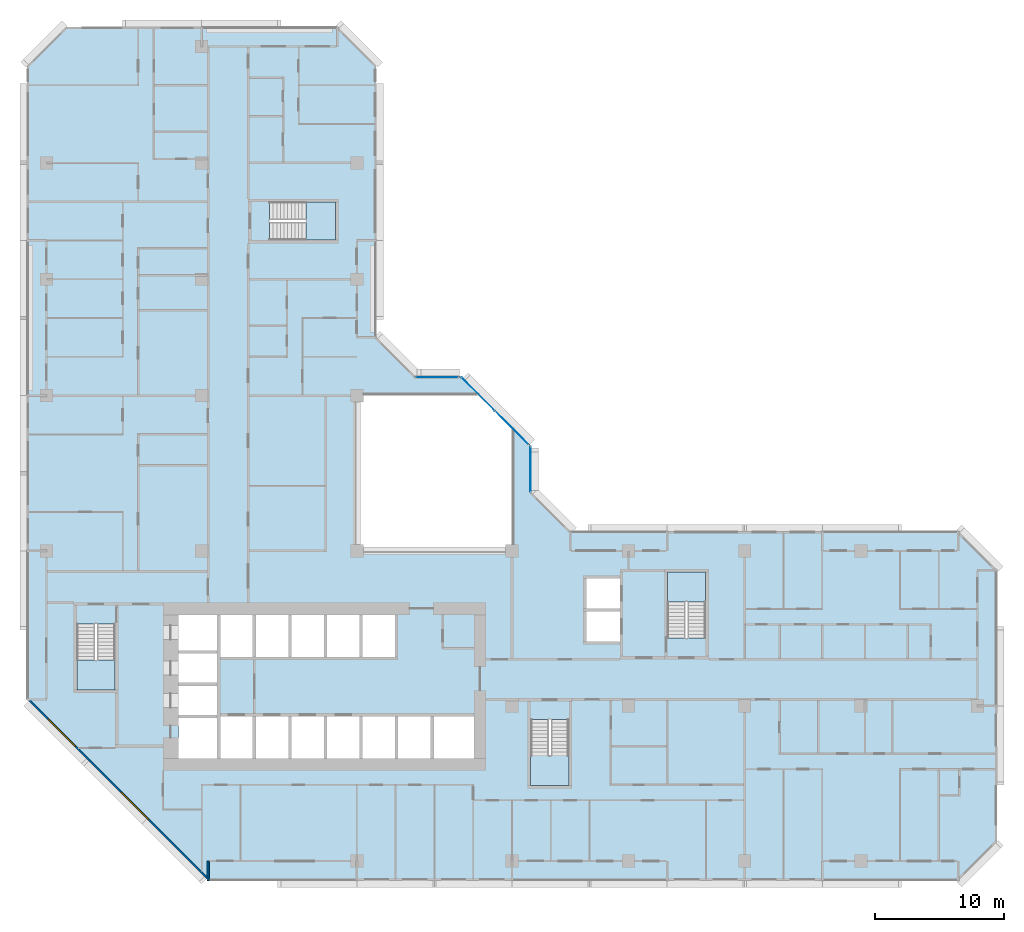
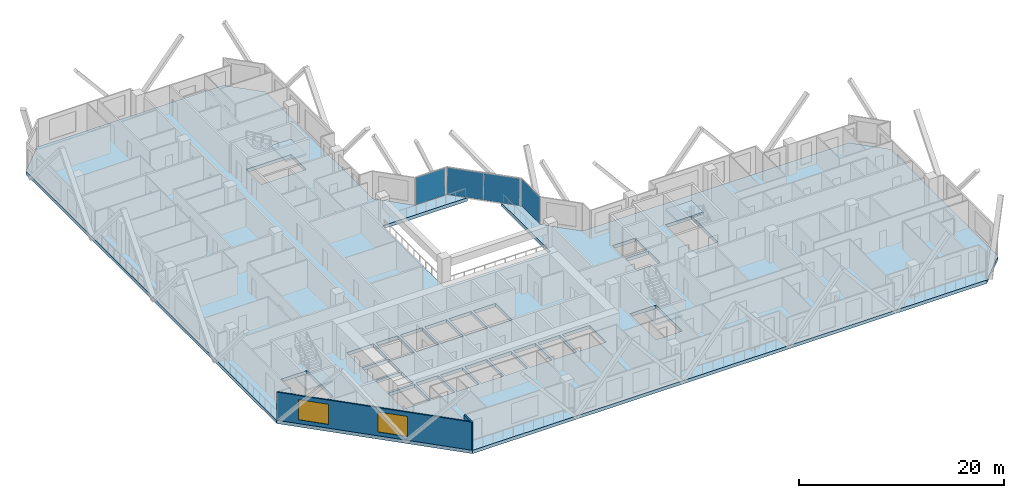
# One storey, part 3 of 16: 5 slabs, 4 plates, 2 walls, 2 windows, 2 openings, 7 elements without a shape of their own.
"""IFC4 building model written with IfcOpenShell, lengths in metres."""

from ifc_helpers import new_model, si_unit, direction, frame, frame_2d, origin, origin_2d, place, context, subcontext, project, spatial, polyline, rectangle, outline, extrude, material, layer, layer_set, type_object, element, fill, aggregate, save


model = new_model("IFC4")

# Units and contexts
model_context = context("Model", 3, precision=1e-05, world=origin(), true_north=direction((0.0, 1.0)))
body_context = subcontext(model_context, "Body", "Model", "MODEL_VIEW")
ifc_project = project(units=[si_unit("LENGTHUNIT", "METRE"), si_unit("AREAUNIT", "SQUARE_METRE"), si_unit("VOLUMEUNIT", "CUBIC_METRE"), si_unit("PLANEANGLEUNIT", "RADIAN"), si_unit("MASSUNIT", "GRAM", prefix="KILO")], contexts=[model_context])

# Site, building, storey
site_placement = place(None, origin())
site = spatial("IfcSite", under=ifc_project, at=site_placement, CompositionType="ELEMENT")
building_placement = place(site_placement, origin())
building = spatial("IfcBuilding", under=site, at=building_placement, Name="Chenar Terraces", CompositionType="ELEMENT")
storey_placement = place(building_placement, frame((0.0, 0.0, 99.39990234375)))
storey = spatial("IfcBuildingStorey", under=building, at=storey_placement, Name="L22", CompositionType="ELEMENT", Elevation=99.39990234375)

# Curtain wall, plate
ifc_material_1 = material(Name="Aluminium framed glazing", Category="aluminium")
ifc_layer_1 = layer(ifc_material_1, 0.14990234375)
ifc_layer_set_1 = layer_set([ifc_layer_1], Name="Aluminium framed glazing")
curtain_wall_type = type_object("IfcCurtainWallType", Name="Atrium curtain wall", PredefinedType="NOTDEFINED", material=ifc_layer_set_1)
placement_1 = place(storey_placement, origin())
curtain_wall_1 = element("IfcCurtainWall", 1, at=placement_1, inside=storey, type_object=curtain_wall_type, Name="Atrium curtain wall", PredefinedType="NOTDEFINED")
ifc_material_2 = material(Name="Low emissivity laminated glass, solar control coating", Category="glass")
ifc_layer_2 = layer(ifc_material_2, 0.028076171875)
ifc_layer_set_2 = layer_set([ifc_layer_2], Name="Low emissivity laminated glass, solar control coating")
plate_type = type_object("IfcPlateType", Name="Atrium glazing panel 28", PredefinedType="CURTAIN_PANEL", material=ifc_layer_set_2)
plate_1_placement = place(storey_placement, frame((37.425048828125, 30.300048828125, 0.06005859375), z_axis=(0.0, 0.0, 1.0), x_axis=(0.0, 1.0, 0.0)))
plate_1 = element("IfcPlate", 2, at=plate_1_placement, type_object=plate_type, Name="CW1-1 panel 1.1", PredefinedType="CURTAIN_PANEL", context=body_context, shape_type="SweptSolid", body=[
    extrude(rectangle(XDim=3.47998046875, YDim=0.028076171875, at=origin_2d()), origin(), (0.0, 0.0, 1.0), 3.22998046875),
])
aggregate(curtain_wall_1, [plate_1])

# Curtain wall, plates
curtain_wall_2 = element("IfcCurtainWall", 3, at=placement_1, inside=storey, type_object=curtain_wall_type, Name="Atrium curtain wall", PredefinedType="NOTDEFINED")
plate_2_placement = place(storey_placement, frame((35.980224609375, 33.513671875, 0.06005859375), z_axis=(0.0, 0.0, 1.0), x_axis=(-0.707106781187, 0.707106781187, 0.0)))
plate_2 = element("IfcPlate", 4, at=plate_2_placement, type_object=plate_type, Name="CW1-2 panel 1.1", PredefinedType="CURTAIN_PANEL", context=body_context, shape_type="SweptSolid", body=[
    extrude(rectangle(XDim=3.62841796875, YDim=0.028076171875, at=origin_2d()), origin(), (0.0, 0.0, 1.0), 3.22998046875),
])
plate_3_placement = place(storey_placement, frame((33.3720703125, 36.121826171875, 0.06005859375), z_axis=(0.0, 0.0, 1.0), x_axis=(-0.707106781187, 0.707106781187, 0.0)))
plate_3 = element("IfcPlate", 5, at=plate_3_placement, type_object=plate_type, Name="CW1-2 panel 2.1", PredefinedType="CURTAIN_PANEL", context=body_context, shape_type="SweptSolid", body=[
    extrude(rectangle(XDim=3.62841796875, YDim=0.028076171875, at=origin_2d()), origin(), (0.0, 0.0, 1.0), 3.22998046875),
])
aggregate(curtain_wall_2, [plate_2, plate_3])

# Curtain wall, plate
curtain_wall_3 = element("IfcCurtainWall", 6, at=placement_1, inside=storey, type_object=curtain_wall_type, Name="Atrium curtain wall", PredefinedType="NOTDEFINED")
plate_4_placement = place(storey_placement, frame((30.199951171875, 37.425048828125, 0.06005859375), z_axis=(0.0, 0.0, 1.0), x_axis=(-1.0, 0.0, 0.0)))
plate_4 = element("IfcPlate", 7, at=plate_4_placement, type_object=plate_type, Name="CW1-3 panel 1.1", PredefinedType="CURTAIN_PANEL", context=body_context, shape_type="SweptSolid", body=[
    extrude(rectangle(XDim=3.280029296875, YDim=0.028076171875, at=origin_2d()), origin(), (0.0, 0.0, 1.0), 3.22998046875),
])
aggregate(curtain_wall_3, [plate_4])

# Stair, slab
ifc_material_3 = material(Name="Reinforced concrete C40/50", Category="concrete")
stair_type = type_object("IfcStairType", Name="Core stair 1400 half-turn", PredefinedType="HALF_TURN_STAIR", material=ifc_material_3)
stair_1 = element("IfcStair", 8, at=placement_1, inside=storey, type_object=stair_type, Name="L22 Stair 1", PredefinedType="HALF_TURN_STAIR")
ifc_material_4 = material(Name="Reinforced concrete C40/50", Category="concrete")
ifc_layer_3 = layer(ifc_material_4, 0.199951171875)
ifc_layer_set_3 = layer_set([ifc_layer_3], Name="Reinforced concrete C40/50")
slab_type_1 = type_object("IfcSlabType", Name="Core stair landing 200", PredefinedType="LANDING", material=ifc_layer_set_3)
placement_2 = place(storey_placement, frame((0.0, 0.0, 1.675048828125)))
slab_1 = element("IfcSlab", 9, at=placement_2, type_object=slab_type_1, Name="ST1 landing 1", PredefinedType="LANDING", context=body_context, shape_type="SweptSolid", body=[
    extrude(outline(polyline([(2.35009765625, 15.550048828125), (2.35009765625, 13.25), (5.300048828125, 13.25), (5.300048828125, 15.550048828125), (2.35009765625, 15.550048828125)])), origin(), (0.0, 0.0, 1.0), 0.199951171875),
])
aggregate(stair_1, [slab_1])

stair_2 = element("IfcStair", 10, at=placement_1, inside=storey, type_object=stair_type, Name="L22 Stair 2", PredefinedType="HALF_TURN_STAIR")
slab_2 = element("IfcSlab", 11, at=placement_2, type_object=slab_type_1, Name="ST2 landing 1", PredefinedType="LANDING", context=body_context, shape_type="SweptSolid", body=[
    extrude(outline(polyline([(37.449951171875, 8.14990234375), (37.449951171875, 5.85009765625), (40.39990234375, 5.85009765625), (40.39990234375, 8.14990234375), (37.449951171875, 8.14990234375)])), origin(), (0.0, 0.0, 1.0), 0.199951171875),
])
aggregate(stair_2, [slab_2])

stair_3 = element("IfcStair", 12, at=placement_1, inside=storey, type_object=stair_type, Name="L22 Stair 3", PredefinedType="HALF_TURN_STAIR")
slab_3 = element("IfcSlab", 13, at=placement_2, type_object=slab_type_1, Name="ST3 landing 1", PredefinedType="LANDING", context=body_context, shape_type="SweptSolid", body=[
    extrude(outline(polyline([(50.97509765625, 20.050048828125), (50.97509765625, 22.35009765625), (48.02490234375, 22.35009765625), (48.02490234375, 20.050048828125), (50.97509765625, 20.050048828125)])), origin(), (0.0, 0.0, 1.0), 0.199951171875),
])
aggregate(stair_3, [slab_3])

stair_4 = element("IfcStair", 14, at=placement_1, inside=storey, type_object=stair_type, Name="L22 Stair 4", PredefinedType="HALF_TURN_STAIR")
slab_4 = element("IfcSlab", 15, at=placement_2, type_object=slab_type_1, Name="ST4 landing 1", PredefinedType="LANDING", context=body_context, shape_type="SweptSolid", body=[
    extrude(outline(polyline([(20.050048828125, 48.02490234375), (22.35009765625, 48.02490234375), (22.35009765625, 50.97509765625), (20.050048828125, 50.97509765625), (20.050048828125, 48.02490234375)])), origin(), (0.0, 0.0, 1.0), 0.199951171875),
])
aggregate(stair_4, [slab_4])

# Slab
ifc_material_5 = material(Name="Concrete C40/50", Category="concrete")
ifc_layer_4 = layer(ifc_material_5, 0.39990234375)
ifc_layer_set_4 = layer_set([ifc_layer_4], Name="Concrete C40/50")
slab_type_2 = type_object("IfcSlabType", Name="Floor slab 400 Concrete C40/50", PredefinedType="FLOOR", material=ifc_layer_set_4)
slab_5_placement = place(storey_placement, frame((0.0, 0.0, -0.39990234375)))
element("IfcSlab", 16, at=slab_5_placement, inside=storey, type_object=slab_type_2, Name="Floor slab L22", PredefinedType="FLOOR", context=body_context, shape_type="SweptSolid", body=[
    extrude(outline(polyline([(73.5, 22.5), (73.5, 1.5), (70.5, -1.5), (12.5, -1.5), (-1.5, 12.5), (-1.5, 61.5), (1.5, 64.5), (22.5, 64.5), (25.5, 61.5), (25.5, 40.5), (28.5, 37.5), (32.10009765625, 37.5), (33.60009765625, 36.0), (24.0, 36.0), (24.0, 24.0), (36.0, 24.0), (36.0, 33.60009765625), (37.5, 32.10009765625), (37.5, 28.5), (40.5, 25.5), (70.5, 25.5), (73.5, 22.5)]), holes=[polyline([(13.199951171875, 11.050048828125), (10.199951171875, 11.050048828125), (10.199951171875, 7.949951171875), (13.199951171875, 7.949951171875), (13.199951171875, 11.050048828125)]), polyline([(15.949951171875, 11.199951171875), (13.449951171875, 11.199951171875), (13.449951171875, 7.949951171875), (15.949951171875, 7.949951171875), (15.949951171875, 11.199951171875)]), polyline([(18.699951171875, 11.199951171875), (16.199951171875, 11.199951171875), (16.199951171875, 7.949951171875), (18.699951171875, 7.949951171875), (18.699951171875, 11.199951171875)]), polyline([(21.449951171875, 7.949951171875), (21.449951171875, 11.199951171875), (18.949951171875, 11.199951171875), (18.949951171875, 7.949951171875), (21.449951171875, 7.949951171875)]), polyline([(13.199951171875, 11.300048828125), (13.199951171875, 13.550048828125), (10.199951171875, 13.550048828125), (10.199951171875, 11.300048828125), (13.199951171875, 11.300048828125)]), polyline([(13.199951171875, 16.050048828125), (10.199951171875, 16.050048828125), (10.199951171875, 13.800048828125), (13.199951171875, 13.800048828125), (13.199951171875, 16.050048828125)]), polyline([(2.35009765625, 18.35009765625), (2.35009765625, 13.25), (5.300048828125, 13.25), (5.300048828125, 18.35009765625), (2.35009765625, 18.35009765625)]), polyline([(15.949951171875, 15.800048828125), (15.949951171875, 19.050048828125), (13.449951171875, 19.050048828125), (13.449951171875, 15.800048828125), (15.949951171875, 15.800048828125)]), polyline([(18.699951171875, 19.050048828125), (16.199951171875, 19.050048828125), (16.199951171875, 15.800048828125), (18.699951171875, 15.800048828125), (18.699951171875, 19.050048828125)]), polyline([(21.449951171875, 15.800048828125), (21.449951171875, 19.050048828125), (18.949951171875, 19.050048828125), (18.949951171875, 15.800048828125), (21.449951171875, 15.800048828125)]), polyline([(13.199951171875, 16.300048828125), (13.199951171875, 19.050048828125), (10.199951171875, 19.050048828125), (10.199951171875, 16.300048828125), (13.199951171875, 16.300048828125)]), polyline([(22.35009765625, 48.02490234375), (22.35009765625, 50.97509765625), (17.25, 50.97509765625), (17.25, 48.02490234375), (22.35009765625, 48.02490234375)]), polyline([(37.449951171875, 10.949951171875), (37.449951171875, 5.85009765625), (40.39990234375, 5.85009765625), (40.39990234375, 10.949951171875), (37.449951171875, 10.949951171875)]), polyline([(24.199951171875, 7.949951171875), (24.199951171875, 11.199951171875), (21.699951171875, 11.199951171875), (21.699951171875, 7.949951171875), (24.199951171875, 7.949951171875)]), polyline([(26.949951171875, 11.199951171875), (24.449951171875, 11.199951171875), (24.449951171875, 7.949951171875), (26.949951171875, 7.949951171875), (26.949951171875, 11.199951171875)]), polyline([(29.699951171875, 7.949951171875), (29.699951171875, 11.199951171875), (27.199951171875, 11.199951171875), (27.199951171875, 7.949951171875), (29.699951171875, 7.949951171875)]), polyline([(33.050048828125, 7.949951171875), (33.050048828125, 11.199951171875), (29.949951171875, 11.199951171875), (29.949951171875, 7.949951171875), (33.050048828125, 7.949951171875)]), polyline([(24.199951171875, 19.050048828125), (21.699951171875, 19.050048828125), (21.699951171875, 15.800048828125), (24.199951171875, 15.800048828125), (24.199951171875, 19.050048828125)]), polyline([(26.949951171875, 15.800048828125), (26.949951171875, 19.050048828125), (24.449951171875, 19.050048828125), (24.449951171875, 15.800048828125), (26.949951171875, 15.800048828125)]), polyline([(44.35009765625, 17.0), (44.35009765625, 19.300048828125), (41.75, 19.300048828125), (41.75, 17.0), (44.35009765625, 17.0)]), polyline([(50.97509765625, 22.35009765625), (48.02490234375, 22.35009765625), (48.02490234375, 17.25), (50.97509765625, 17.25), (50.97509765625, 22.35009765625)]), polyline([(44.35009765625, 19.550048828125), (44.35009765625, 21.85009765625), (41.75, 21.85009765625), (41.75, 19.550048828125), (44.35009765625, 19.550048828125)])]), origin(), (0.0, 0.0, 1.0), 0.39990234375),
])

# Wall
ifc_material_6 = material(Name="Terracotta cladding on insulated backing", Category="masonry")
ifc_layer_5 = layer(ifc_material_6, 0.14990234375)
ifc_layer_set_5 = layer_set([ifc_layer_5], Name="Terracotta cladding on insulated backing")
wall_type_1 = type_object("IfcWallType", Name="Loggia return wall 150", PredefinedType="SOLIDWALL", material=ifc_layer_set_5)
wall_1_placement = place(storey_placement, frame((12.5, -1.5, 0.0), z_axis=(0.0, 0.0, 1.0), x_axis=(0.0, 1.0, 0.0)))
element("IfcWall", 17, at=wall_1_placement, inside=storey, type_object=wall_type_1, Name="Loggia return wall", PredefinedType="SOLIDWALL", context=body_context, shape_type="SweptSolid", body=[
    extrude(rectangle(XDim=1.5, YDim=0.14990234375, at=frame_2d((0.75, 0.0))), origin(), (0.0, 0.0, 1.0), 3.35009765625),
])

# Wall, openings, windows
ifc_material_7 = material(Name="Terracotta cladding on insulated backing", Category="masonry")
ifc_layer_6 = layer(ifc_material_7, 0.14990234375)
ifc_layer_set_6 = layer_set([ifc_layer_6], Name="Terracotta cladding on insulated backing")
wall_type_2 = type_object("IfcWallType", Name="Terracotta rainscreen wall 150", PredefinedType="SOLIDWALL", material=ifc_layer_set_6)
wall_2_placement = place(storey_placement, frame((-1.447021484375, 12.552978515625, 0.0), z_axis=(0.0, 0.0, 1.0), x_axis=(0.707106781187, -0.707106781187, 0.0)))
wall_2 = element("IfcWall", 18, at=wall_2_placement, inside=storey, type_object=wall_type_2, Name="Terracotta rainscreen wall", PredefinedType="SOLIDWALL", context=body_context, shape_type="SweptSolid", body=[
    extrude(rectangle(XDim=19.799072265625, YDim=0.14990234375, at=frame_2d((9.8994140625, 0.0))), origin(), (0.0, 0.0, 1.0), 3.35009765625),
])
opening_1_placement = place(wall_2_placement, frame((2.21240234375, 0.0, 0.449951171875)))
opening_1 = element("IfcOpeningElement", 19, at=opening_1_placement, cuts=wall_2, Name="Opening W300x240", PredefinedType="OPENING", context=body_context, shape_type="SweptSolid", body=[
    extrude(rectangle(XDim=3.0, YDim=2.39990234375, at=frame_2d((1.5, 1.199951171875))), frame((0.0, 0.0849609375, 0.0), z_axis=(0.0, -1.0, 0.0), x_axis=(1.0, 0.0, 0.0)), (0.0, 0.0, 1.0), 0.169921875),
])
opening_2_placement = place(wall_2_placement, frame((10.215576171875, 0.0, 0.449951171875)))
opening_2 = element("IfcOpeningElement", 20, at=opening_2_placement, cuts=wall_2, Name="Opening W300x240", PredefinedType="OPENING", context=body_context, shape_type="SweptSolid", body=[
    extrude(rectangle(XDim=3.0, YDim=2.39990234375, at=frame_2d((1.5, 1.199951171875))), frame((0.0, 0.0849609375, 0.0), z_axis=(0.0, -1.0, 0.0), x_axis=(1.0, 0.0, 0.0)), (0.0, 0.0, 1.0), 0.169921875),
])
ifc_material_8 = material(Name="Low emissivity double glazing, aluminium frame", Category="aluminium")
window_type = type_object("IfcWindowType", Name="Fixed light 3000 x 2400", PartitioningType="SINGLE_PANEL", PredefinedType="WINDOW", material=ifc_material_8)
window_1_placement = place(opening_1_placement, origin())
window_1 = element("IfcWindow", 21, at=window_1_placement, inside=storey, type_object=window_type, Name="Window", OverallHeight=2.39990234375, OverallWidth=3.0, PartitioningType="SINGLE_PANEL", PredefinedType="WINDOW", context=body_context, shape_type="SweptSolid", body=[
    extrude(rectangle(XDim=3.0, YDim=2.39990234375, at=frame_2d((1.5, 1.199951171875))), frame((0.0, 0.030029296875, 0.0), z_axis=(0.0, -1.0, 0.0), x_axis=(1.0, 0.0, 0.0)), (0.0, 0.0, 1.0), 0.06005859375),
])
fill(opening_1, window_1)
window_2_placement = place(opening_2_placement, origin())
window_2 = element("IfcWindow", 22, at=window_2_placement, inside=storey, type_object=window_type, Name="Window", OverallHeight=2.39990234375, OverallWidth=3.0, PartitioningType="SINGLE_PANEL", PredefinedType="WINDOW", context=body_context, shape_type="SweptSolid", body=[
    extrude(rectangle(XDim=3.0, YDim=2.39990234375, at=frame_2d((1.5, 1.199951171875))), frame((0.0, 0.030029296875, 0.0), z_axis=(0.0, -1.0, 0.0), x_axis=(1.0, 0.0, 0.0)), (0.0, 0.0, 1.0), 0.06005859375),
])
fill(opening_2, window_2)

save(model, "model.ifc")
